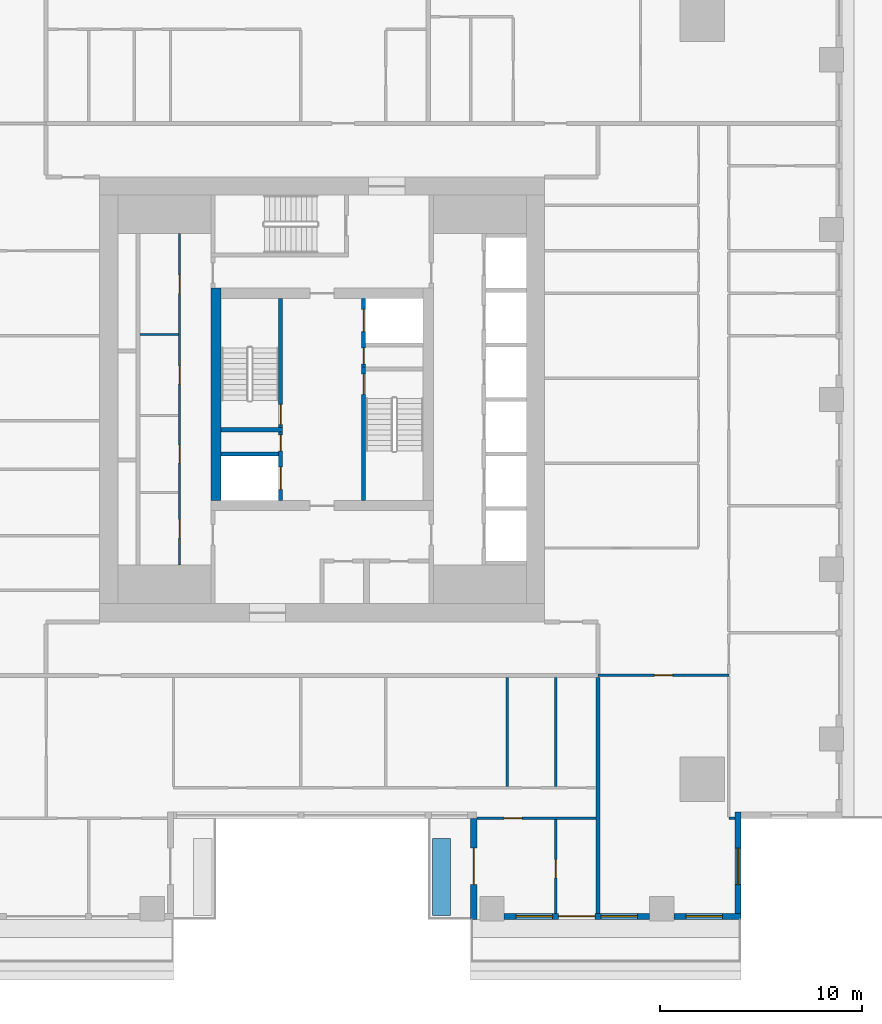
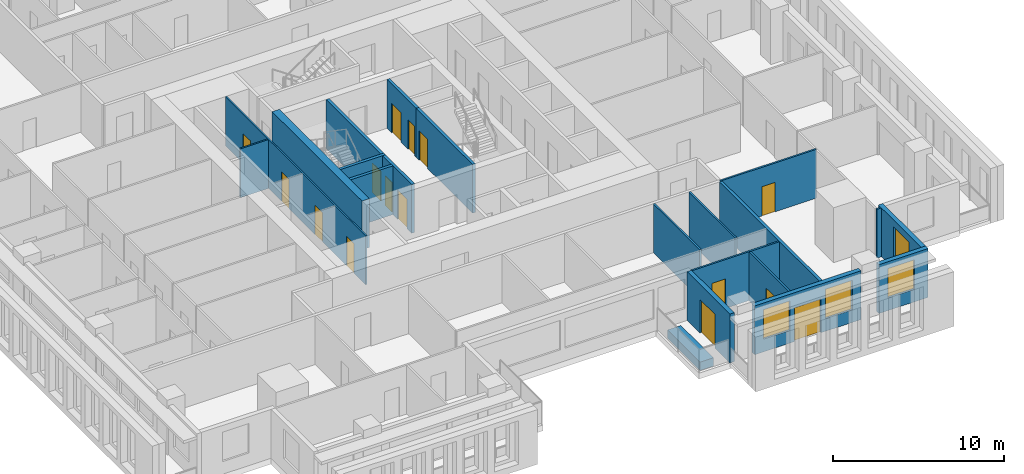
# One storey, part 4 of 15: 21 walls, 15 doors, 4 windows, 19 openings.
"""IFC4 building model written with IfcOpenShell, lengths in metres."""

from ifc_helpers import new_model, si_unit, direction, frame, frame_2d, origin, place, context, subcontext, project, spatial, rectangle, extrude, material, layer, layer_set, type_object, element, fill, save


model = new_model("IFC4")

# Units and contexts
model_context = context("Model", 3, precision=1e-05, world=origin(), true_north=direction((0.0, 1.0)))
body_context = subcontext(model_context, "Body", "Model", "MODEL_VIEW")
ifc_project = project(units=[si_unit("LENGTHUNIT", "METRE"), si_unit("AREAUNIT", "SQUARE_METRE"), si_unit("VOLUMEUNIT", "CUBIC_METRE"), si_unit("PLANEANGLEUNIT", "RADIAN"), si_unit("MASSUNIT", "GRAM", prefix="KILO")], contexts=[model_context])

# Site, building, storey
site_placement = place(None, origin())
site = spatial("IfcSite", under=ifc_project, at=site_placement, CompositionType="ELEMENT")
building_placement = place(site_placement, origin())
building = spatial("IfcBuilding", under=site, at=building_placement, Name="Khepri Terraces", CompositionType="ELEMENT")
storey_placement = place(building_placement, frame((0.0, 0.0, 256.199951171875)))
storey = spatial("IfcBuildingStorey", under=building, at=storey_placement, Name="L61", CompositionType="ELEMENT", Elevation=256.199951171875)

# Wall, opening, door
ifc_material_1 = material(Name="Concrete C40/50", Category="concrete")
ifc_layer_1 = layer(ifc_material_1, 0.199951171875, Name="Concrete C40/50", Category="concrete")
ifc_layer_set_1 = layer_set([ifc_layer_1], Name="Concrete C40/50")
wall_type_1 = type_object("IfcWallType", Name="Core wall 200 C40/50", PredefinedType="SHEAR", material=ifc_layer_set_1)
wall_1_placement = place(storey_placement, frame((2.050048828125, -5.0, 0.0), z_axis=(0.0, 0.0, 1.0), x_axis=(0.0, 1.0, 0.0)))
wall_1 = element("IfcWall", 1, at=wall_1_placement, inside=storey, type_object=wall_type_1, Name="Core wall ST01 L61", PredefinedType="SHEAR", context=body_context, shape_type="SweptSolid", body=[
    extrude(rectangle(XDim=6.60009765625, YDim=0.199951171875, at=frame_2d((3.300048828125, 0.0))), origin(), (0.0, 0.0, 1.0), 3.47998046875),
])
opening_1_placement = place(wall_1_placement, frame((5.25, 0.0, 0.0)))
opening_1 = element("IfcOpeningElement", 2, at=opening_1_placement, cuts=wall_1, Name="Opening L61-C10", PredefinedType="OPENING", context=body_context, shape_type="SweptSolid", body=[
    extrude(rectangle(XDim=1.0, YDim=2.10009765625, at=frame_2d((0.5, 1.050048828125))), frame((0.0, 0.10986328125, 0.0), z_axis=(0.0, -1.0, 0.0), x_axis=(1.0, 0.0, 0.0)), (0.0, 0.0, 1.0), 0.219970703125),
])
ifc_material_2 = material(Name="Painted steel", Category="steel")
door_type_1 = type_object("IfcDoorType", Name="DR-CORE-STAIR-1000", OperationType="NOTDEFINED", PredefinedType="DOOR", material=ifc_material_2)
door_1_placement = place(opening_1_placement, frame((1.0, 0.0, 0.0), z_axis=(0.0, 0.0, 1.0), x_axis=(-1.0, 0.0, 0.0)))
door_1 = element("IfcDoor", 3, at=door_1_placement, inside=storey, type_object=door_type_1, Name="Stair door L61-C10", OperationType="SINGLE_SWING_LEFT", OverallHeight=2.10009765625, OverallWidth=1.0, PredefinedType="DOOR", context=body_context, shape_type="SweptSolid", body=[
    extrude(rectangle(XDim=1.0, YDim=2.10009765625, at=frame_2d((0.5, 1.050048828125))), frame((0.0, 0.02490234375, 0.0), z_axis=(0.0, -1.0, 0.0), x_axis=(1.0, 0.0, 0.0)), (0.0, 0.0, 1.0), 0.050048828125),
])
fill(opening_1, door_1)

# Wall
wall_2_placement = place(storey_placement, frame((-5.0, -1.5, 0.0), z_axis=(0.0, 0.0, 1.0), x_axis=(1.0, 0.0, 0.0)))
element("IfcWall", 4, at=wall_2_placement, inside=storey, type_object=wall_type_1, Name="Core wall ST02 L61", PredefinedType="SHEAR", context=body_context, shape_type="SweptSolid", body=[
    extrude(rectangle(XDim=3.050048828125, YDim=0.199951171875, at=frame_2d((1.52490234375, 0.0))), origin(), (0.0, 0.0, 1.0), 3.47998046875),
])

# Wall, opening, door
wall_3_placement = place(storey_placement, frame((-2.050048828125, -1.39990234375, 0.0), z_axis=(0.0, 0.0, 1.0), x_axis=(0.0, 1.0, 0.0)))
wall_3 = element("IfcWall", 5, at=wall_3_placement, inside=storey, type_object=wall_type_1, Name="Core wall ST03 L61", PredefinedType="SHEAR", context=body_context, shape_type="SweptSolid", body=[
    extrude(rectangle(XDim=6.39990234375, YDim=0.199951171875, at=frame_2d((3.199951171875, 0.0))), origin(), (0.0, 0.0, 1.0), 3.47998046875),
])
opening_2_placement = place(wall_3_placement, frame((0.14990234375, 0.0, 0.0)))
opening_2 = element("IfcOpeningElement", 6, at=opening_2_placement, cuts=wall_3, Name="Opening L61-C09", PredefinedType="OPENING", context=body_context, shape_type="SweptSolid", body=[
    extrude(rectangle(XDim=1.0, YDim=2.10009765625, at=frame_2d((0.5, 1.050048828125))), frame((0.0, 0.10986328125, 0.0), z_axis=(0.0, -1.0, 0.0), x_axis=(1.0, 0.0, 0.0)), (0.0, 0.0, 1.0), 0.219970703125),
])
door_2_placement = place(opening_2_placement, origin())
door_2 = element("IfcDoor", 7, at=door_2_placement, inside=storey, type_object=door_type_1, Name="Stair door L61-C09", OperationType="SINGLE_SWING_LEFT", OverallHeight=2.10009765625, OverallWidth=1.0, PredefinedType="DOOR", context=body_context, shape_type="SweptSolid", body=[
    extrude(rectangle(XDim=1.0, YDim=2.10009765625, at=frame_2d((0.5, 1.050048828125))), frame((0.0, 0.02490234375, 0.0), z_axis=(0.0, -1.0, 0.0), x_axis=(1.0, 0.0, 0.0)), (0.0, 0.0, 1.0), 0.050048828125),
])
fill(opening_2, door_2)

# Wall, openings, doors
wall_4_placement = place(storey_placement, frame((-2.050048828125, -5.0, 0.0), z_axis=(0.0, 0.0, 1.0), x_axis=(0.0, 1.0, 0.0)))
wall_4 = element("IfcWall", 8, at=wall_4_placement, inside=storey, type_object=wall_type_1, Name="Core wall SH05 L61", PredefinedType="SHEAR", context=body_context, shape_type="SweptSolid", body=[
    extrude(rectangle(XDim=3.39990234375, YDim=0.199951171875, at=frame_2d((1.699951171875, 0.0))), origin(), (0.0, 0.0, 1.0), 3.47998046875),
])
opening_3_placement = place(wall_4_placement, frame((0.550048828125, 0.0, 0.0)))
opening_3 = element("IfcOpeningElement", 9, at=opening_3_placement, cuts=wall_4, Name="Opening L61-C08", PredefinedType="OPENING", context=body_context, shape_type="SweptSolid", body=[
    extrude(rectangle(XDim=1.10009765625, YDim=2.10009765625, at=frame_2d((0.550048828125, 1.050048828125))), frame((0.0, 0.10986328125, 0.0), z_axis=(0.0, -1.0, 0.0), x_axis=(1.0, 0.0, 0.0)), (0.0, 0.0, 1.0), 0.219970703125),
])
opening_4_placement = place(wall_4_placement, frame((2.449951171875, 0.0, 0.0)))
opening_4 = element("IfcOpeningElement", 10, at=opening_4_placement, cuts=wall_4, Name="Opening L61-C12", PredefinedType="OPENING", context=body_context, shape_type="SweptSolid", body=[
    extrude(rectangle(XDim=0.800048828125, YDim=2.10009765625, at=frame_2d((0.39990234375, 1.050048828125))), frame((0.0, 0.10986328125, 0.0), z_axis=(0.0, -1.0, 0.0), x_axis=(1.0, 0.0, 0.0)), (0.0, 0.0, 1.0), 0.219970703125),
])
ifc_material_3 = material(Name="Stainless steel 304", Category="steel")
door_type_2 = type_object("IfcDoorType", Name="DR-CORE-FF-LANDING-1100", OperationType="NOTDEFINED", PredefinedType="DOOR", material=ifc_material_3)
door_3_placement = place(opening_3_placement, origin())
door_3 = element("IfcDoor", 11, at=door_3_placement, inside=storey, type_object=door_type_2, Name="Firefighting lift landing door L61-C08", OperationType="SLIDING_TO_LEFT", OverallHeight=2.10009765625, OverallWidth=1.10009765625, PredefinedType="DOOR", context=body_context, shape_type="SweptSolid", body=[
    extrude(rectangle(XDim=1.10009765625, YDim=2.10009765625, at=frame_2d((0.550048828125, 1.050048828125))), frame((0.0, 0.02490234375, 0.0), z_axis=(0.0, -1.0, 0.0), x_axis=(1.0, 0.0, 0.0)), (0.0, 0.0, 1.0), 0.050048828125),
])
fill(opening_3, door_3)
door_type_3 = type_object("IfcDoorType", Name="DR-CORE-RISER-800", OperationType="NOTDEFINED", PredefinedType="DOOR", material=ifc_material_2)
door_4_placement = place(opening_4_placement, origin())
door_4 = element("IfcDoor", 12, at=door_4_placement, inside=storey, type_object=door_type_3, Name="Riser door L61-C12", OperationType="SINGLE_SWING_RIGHT", OverallHeight=2.10009765625, OverallWidth=0.800048828125, PredefinedType="DOOR", context=body_context, shape_type="SweptSolid", body=[
    extrude(rectangle(XDim=0.800048828125, YDim=2.10009765625, at=frame_2d((0.39990234375, 1.050048828125))), frame((0.0, 0.02490234375, 0.0), z_axis=(0.0, -1.0, 0.0), x_axis=(1.0, 0.0, 0.0)), (0.0, 0.0, 1.0), 0.050048828125),
])
fill(opening_4, door_4)

# Wall
wall_5_placement = place(storey_placement, frame((-5.0, -2.699951171875, 0.0), z_axis=(0.0, 0.0, 1.0), x_axis=(1.0, 0.0, 0.0)))
element("IfcWall", 13, at=wall_5_placement, inside=storey, type_object=wall_type_1, Name="Core wall SH07 L61", PredefinedType="SHEAR", context=body_context, shape_type="SweptSolid", body=[
    extrude(rectangle(XDim=2.85009765625, YDim=0.199951171875, at=frame_2d((1.425048828125, 0.0))), origin(), (0.0, 0.0, 1.0), 3.47998046875),
])

# Wall, openings, doors
wall_6_placement = place(storey_placement, frame((2.050048828125, 1.60009765625, 0.0), z_axis=(0.0, 0.0, 1.0), x_axis=(0.0, 1.0, 0.0)))
wall_6 = element("IfcWall", 14, at=wall_6_placement, inside=storey, type_object=wall_type_1, Name="Core wall SH10 L61", PredefinedType="SHEAR", context=body_context, shape_type="SweptSolid", body=[
    extrude(rectangle(XDim=3.39990234375, YDim=0.199951171875, at=frame_2d((1.699951171875, 0.0))), origin(), (0.0, 0.0, 1.0), 3.47998046875),
])
opening_5_placement = place(wall_6_placement, frame((1.75, 0.0, 0.0)))
opening_5 = element("IfcOpeningElement", 15, at=opening_5_placement, cuts=wall_6, Name="Opening L61-C07", PredefinedType="OPENING", context=body_context, shape_type="SweptSolid", body=[
    extrude(rectangle(XDim=1.10009765625, YDim=2.10009765625, at=frame_2d((0.550048828125, 1.050048828125))), frame((0.0, 0.10986328125, 0.0), z_axis=(0.0, -1.0, 0.0), x_axis=(1.0, 0.0, 0.0)), (0.0, 0.0, 1.0), 0.219970703125),
])
opening_6_placement = place(wall_6_placement, frame((0.14990234375, 0.0, 0.0)))
opening_6 = element("IfcOpeningElement", 16, at=opening_6_placement, cuts=wall_6, Name="Opening L61-C11", PredefinedType="OPENING", context=body_context, shape_type="SweptSolid", body=[
    extrude(rectangle(XDim=0.800048828125, YDim=2.10009765625, at=frame_2d((0.39990234375, 1.050048828125))), frame((0.0, 0.10986328125, 0.0), z_axis=(0.0, -1.0, 0.0), x_axis=(1.0, 0.0, 0.0)), (0.0, 0.0, 1.0), 0.219970703125),
])
door_5_placement = place(opening_5_placement, origin())
door_5 = element("IfcDoor", 17, at=door_5_placement, inside=storey, type_object=door_type_2, Name="Firefighting lift landing door L61-C07", OperationType="SLIDING_TO_LEFT", OverallHeight=2.10009765625, OverallWidth=1.10009765625, PredefinedType="DOOR", context=body_context, shape_type="SweptSolid", body=[
    extrude(rectangle(XDim=1.10009765625, YDim=2.10009765625, at=frame_2d((0.550048828125, 1.050048828125))), frame((0.0, 0.02490234375, 0.0), z_axis=(0.0, -1.0, 0.0), x_axis=(1.0, 0.0, 0.0)), (0.0, 0.0, 1.0), 0.050048828125),
])
fill(opening_5, door_5)
door_6_placement = place(opening_6_placement, frame((0.800048828125, 0.0, 0.0), z_axis=(0.0, 0.0, 1.0), x_axis=(-1.0, 0.0, 0.0)))
door_6 = element("IfcDoor", 18, at=door_6_placement, inside=storey, type_object=door_type_3, Name="Riser door L61-C11", OperationType="SINGLE_SWING_RIGHT", OverallHeight=2.10009765625, OverallWidth=0.800048828125, PredefinedType="DOOR", context=body_context, shape_type="SweptSolid", body=[
    extrude(rectangle(XDim=0.800048828125, YDim=2.10009765625, at=frame_2d((0.39990234375, 1.050048828125))), frame((0.0, 0.02490234375, 0.0), z_axis=(0.0, -1.0, 0.0), x_axis=(1.0, 0.0, 0.0)), (0.0, 0.0, 1.0), 0.050048828125),
])
fill(opening_6, door_6)

# Wall
ifc_layer_2 = layer(ifc_material_1, 0.5, Name="Concrete C40/50", Category="concrete")
ifc_layer_set_2 = layer_set([ifc_layer_2], Name="Concrete C40/50")
wall_type_2 = type_object("IfcWallType", Name="Core wall 500 C40/50", PredefinedType="SHEAR", material=ifc_layer_set_2)
wall_7_placement = place(storey_placement, frame((-5.25, -5.0, 0.0), z_axis=(0.0, 0.0, 1.0), x_axis=(0.0, 1.0, 0.0)))
element("IfcWall", 19, at=wall_7_placement, inside=storey, type_object=wall_type_2, Name="Core wall BX02 L61", PredefinedType="SHEAR", context=body_context, shape_type="SweptSolid", body=[
    extrude(rectangle(XDim=10.5, YDim=0.5, at=frame_2d((5.25, 0.0))), origin(), (0.0, 0.0, 1.0), 3.47998046875),
])

# Wall, openings, doors
ifc_material_4 = material(Name="Fire-rated gypsum board partition")
ifc_layer_3 = layer(ifc_material_4, 0.10009765625, Name="Fire-rated gypsum board partition")
ifc_layer_set_3 = layer_set([ifc_layer_3], Name="Fire-rated gypsum board partition")
wall_type_3 = type_object("IfcWallType", Name="WL-CORE-PART-100", PredefinedType="PARTITIONING", material=ifc_layer_set_3)
wall_8_placement = place(storey_placement, frame((-7.050048828125, -8.199951171875, 0.0), z_axis=(0.0, 0.0, 1.0), x_axis=(0.0, 1.0, 0.0)))
wall_8 = element("IfcWall", 20, at=wall_8_placement, inside=storey, type_object=wall_type_3, Name="Core partition PT05 L61", PredefinedType="PARTITIONING", context=body_context, shape_type="SweptSolid", body=[
    extrude(rectangle(XDim=16.39990234375, YDim=0.10009765625, at=frame_2d((8.199951171875, 0.0))), origin(), (0.0, 0.0, 1.0), 3.47998046875),
])
opening_7_placement = place(wall_8_placement, frame((1.35009765625, 0.0, 0.0)))
opening_7 = element("IfcOpeningElement", 21, at=opening_7_placement, cuts=wall_8, Name="Opening L61-C24", PredefinedType="OPENING", context=body_context, shape_type="SweptSolid", body=[
    extrude(rectangle(XDim=0.89990234375, YDim=2.10009765625, at=frame_2d((0.449951171875, 1.050048828125))), frame((0.0, 0.06005859375, 0.0), z_axis=(0.0, -1.0, 0.0), x_axis=(1.0, 0.0, 0.0)), (0.0, 0.0, 1.0), 0.1201171875),
])
opening_8_placement = place(wall_8_placement, frame((5.050048828125, 0.0, 0.0)))
opening_8 = element("IfcOpeningElement", 22, at=opening_8_placement, cuts=wall_8, Name="Opening L61-C25", PredefinedType="OPENING", context=body_context, shape_type="SweptSolid", body=[
    extrude(rectangle(XDim=0.89990234375, YDim=2.10009765625, at=frame_2d((0.449951171875, 1.050048828125))), frame((0.0, 0.06005859375, 0.0), z_axis=(0.0, -1.0, 0.0), x_axis=(1.0, 0.0, 0.0)), (0.0, 0.0, 1.0), 0.1201171875),
])
opening_9_placement = place(wall_8_placement, frame((8.949951171875, 0.0, 0.0)))
opening_9 = element("IfcOpeningElement", 23, at=opening_9_placement, cuts=wall_8, Name="Opening L61-C26", PredefinedType="OPENING", context=body_context, shape_type="SweptSolid", body=[
    extrude(rectangle(XDim=0.89990234375, YDim=2.10009765625, at=frame_2d((0.449951171875, 1.050048828125))), frame((0.0, 0.06005859375, 0.0), z_axis=(0.0, -1.0, 0.0), x_axis=(1.0, 0.0, 0.0)), (0.0, 0.0, 1.0), 0.1201171875),
])
opening_10_placement = place(wall_8_placement, frame((13.449951171875, 0.0, 0.0)))
opening_10 = element("IfcOpeningElement", 24, at=opening_10_placement, cuts=wall_8, Name="Opening L61-C27", PredefinedType="OPENING", context=body_context, shape_type="SweptSolid", body=[
    extrude(rectangle(XDim=0.89990234375, YDim=2.10009765625, at=frame_2d((0.449951171875, 1.050048828125))), frame((0.0, 0.06005859375, 0.0), z_axis=(0.0, -1.0, 0.0), x_axis=(1.0, 0.0, 0.0)), (0.0, 0.0, 1.0), 0.1201171875),
])
door_type_4 = type_object("IfcDoorType", Name="DR-CORE-SERVICE-900", OperationType="NOTDEFINED", PredefinedType="DOOR", material=ifc_material_2)
door_7_placement = place(opening_7_placement, origin())
door_7 = element("IfcDoor", 25, at=door_7_placement, inside=storey, type_object=door_type_4, Name="Service room door L61-C24", OperationType="SINGLE_SWING_LEFT", OverallHeight=2.10009765625, OverallWidth=0.89990234375, PredefinedType="DOOR", context=body_context, shape_type="SweptSolid", body=[
    extrude(rectangle(XDim=0.89990234375, YDim=2.10009765625, at=frame_2d((0.449951171875, 1.050048828125))), frame((0.0, 0.02490234375, 0.0), z_axis=(0.0, -1.0, 0.0), x_axis=(1.0, 0.0, 0.0)), (0.0, 0.0, 1.0), 0.050048828125),
])
fill(opening_7, door_7)
door_8_placement = place(opening_8_placement, origin())
door_8 = element("IfcDoor", 26, at=door_8_placement, inside=storey, type_object=door_type_4, Name="Service room door L61-C25", OperationType="SINGLE_SWING_LEFT", OverallHeight=2.10009765625, OverallWidth=0.89990234375, PredefinedType="DOOR", context=body_context, shape_type="SweptSolid", body=[
    extrude(rectangle(XDim=0.89990234375, YDim=2.10009765625, at=frame_2d((0.449951171875, 1.050048828125))), frame((0.0, 0.02490234375, 0.0), z_axis=(0.0, -1.0, 0.0), x_axis=(1.0, 0.0, 0.0)), (0.0, 0.0, 1.0), 0.050048828125),
])
fill(opening_8, door_8)
door_9_placement = place(opening_9_placement, origin())
door_9 = element("IfcDoor", 27, at=door_9_placement, inside=storey, type_object=door_type_4, Name="Service room door L61-C26", OperationType="SINGLE_SWING_RIGHT", OverallHeight=2.10009765625, OverallWidth=0.89990234375, PredefinedType="DOOR", context=body_context, shape_type="SweptSolid", body=[
    extrude(rectangle(XDim=0.89990234375, YDim=2.10009765625, at=frame_2d((0.449951171875, 1.050048828125))), frame((0.0, 0.02490234375, 0.0), z_axis=(0.0, -1.0, 0.0), x_axis=(1.0, 0.0, 0.0)), (0.0, 0.0, 1.0), 0.050048828125),
])
fill(opening_9, door_9)
door_10_placement = place(opening_10_placement, origin())
door_10 = element("IfcDoor", 28, at=door_10_placement, inside=storey, type_object=door_type_4, Name="Service room door L61-C27", OperationType="SINGLE_SWING_RIGHT", OverallHeight=2.10009765625, OverallWidth=0.89990234375, PredefinedType="DOOR", context=body_context, shape_type="SweptSolid", body=[
    extrude(rectangle(XDim=0.89990234375, YDim=2.10009765625, at=frame_2d((0.449951171875, 1.050048828125))), frame((0.0, 0.02490234375, 0.0), z_axis=(0.0, -1.0, 0.0), x_axis=(1.0, 0.0, 0.0)), (0.0, 0.0, 1.0), 0.050048828125),
])
fill(opening_10, door_10)

# Walls
wall_9_placement = place(storey_placement, frame((-9.0, 3.199951171875, 0.0), z_axis=(0.0, 0.0, 1.0), x_axis=(1.0, 0.0, 0.0)))
element("IfcWall", 29, at=wall_9_placement, inside=storey, type_object=wall_type_3, Name="Core partition PT10 L61", PredefinedType="PARTITIONING", context=body_context, shape_type="SweptSolid", body=[
    extrude(rectangle(XDim=1.89990234375, YDim=0.10009765625, at=frame_2d((0.949951171875, 0.0))), origin(), (0.0, 0.0, 1.0), 3.47998046875),
])
ifc_material_5 = material(Name="Fire-rated gypsum plasterboard partition, mineral wool")
ifc_layer_4 = layer(ifc_material_5, 0.199951171875, Name="Fire-rated gypsum plasterboard partition, mineral wool")
ifc_layer_set_4 = layer_set([ifc_layer_4], Name="Fire-rated gypsum plasterboard partition, mineral wool")
wall_type_4 = type_object("IfcWallType", Name="WL-CORR-200", PredefinedType="PARTITIONING", material=ifc_layer_set_4)
wall_10_placement = place(storey_placement, frame((13.64990234375, -25.419921875, 0.0), z_axis=(0.0, 0.0, 1.0), x_axis=(0.0, 1.0, 0.0)))
element("IfcWall", 30, at=wall_10_placement, inside=storey, type_object=wall_type_4, Name="Partition P-003 L61", PredefinedType="PARTITIONING", context=body_context, shape_type="SweptSolid", body=[
    extrude(rectangle(XDim=11.669921875, YDim=0.199951171875, at=frame_2d((5.8349609375, 0.0))), origin(), (0.0, 0.0, 1.0), 3.47998046875),
])

# Wall, opening, door
ifc_material_6 = material(Name="Precast concrete C50/60 warm stone", Category="masonry")
ifc_layer_5 = layer(ifc_material_6, 0.300048828125, Name="Precast concrete C50/60 warm stone", Category="masonry")
ifc_layer_set_5 = layer_set([ifc_layer_5], Name="Precast concrete C50/60 warm stone")
wall_type_5 = type_object("IfcWallType", Name="WL-EXT-PRECAST-300", PredefinedType="STANDARD", material=ifc_layer_set_5)
wall_11_placement = place(storey_placement, frame((7.5, -20.719970703125, 0.0), z_axis=(0.0, 0.0, 1.0), x_axis=(0.0, -1.0, 0.0)))
wall_11 = element("IfcWall", 31, at=wall_11_placement, inside=storey, type_object=wall_type_5, Name="External wall L61 W", PredefinedType="STANDARD", context=body_context, shape_type="SweptSolid", body=[
    extrude(rectangle(XDim=5.0, YDim=0.300048828125, at=frame_2d((2.5, 0.0))), origin(), (0.0, 0.0, 1.0), 3.47998046875),
])
opening_11_placement = place(wall_11_placement, frame((1.47998046875, 0.0, 0.0)))
opening_11 = element("IfcOpeningElement", 32, at=opening_11_placement, cuts=wall_11, Name="Opening ED-L61-19", PredefinedType="OPENING", context=body_context, shape_type="SweptSolid", body=[
    extrude(rectangle(XDim=1.800048828125, YDim=2.39990234375, at=frame_2d((0.89990234375, 1.199951171875))), frame((0.0, 0.16015625, 0.0), z_axis=(0.0, -1.0, 0.0), x_axis=(1.0, 0.0, 0.0)), (0.0, 0.0, 1.0), 0.320068359375),
])
ifc_material_7 = material(Name="Anodised aluminium bronze glazed door", Category="aluminium")
door_type_5 = type_object("IfcDoorType", Name="DR-BAL-SLIDE-1800x2400", OperationType="NOTDEFINED", PredefinedType="DOOR", material=ifc_material_7)
door_11_placement = place(opening_11_placement, origin())
door_11 = element("IfcDoor", 33, at=door_11_placement, inside=storey, type_object=door_type_5, Name="Balcony door L61 W", OperationType="SLIDING_TO_RIGHT", OverallHeight=2.39990234375, OverallWidth=1.800048828125, PredefinedType="DOOR", context=body_context, shape_type="SweptSolid", body=[
    extrude(rectangle(XDim=1.800048828125, YDim=2.39990234375, at=frame_2d((0.89990234375, 1.199951171875))), frame((0.0, 0.02490234375, 0.0), z_axis=(0.0, -1.0, 0.0), x_axis=(1.0, 0.0, 0.0)), (0.0, 0.0, 1.0), 0.050048828125),
])
fill(opening_11, door_11)

# Wall, openings, door, windows
wall_12_placement = place(storey_placement, frame((9.0, -25.570068359375, 0.0), z_axis=(0.0, 0.0, 1.0), x_axis=(1.0, 0.0, 0.0)))
wall_12 = element("IfcWall", 34, at=wall_12_placement, inside=storey, type_object=wall_type_5, Name="External wall L61 S", PredefinedType="STANDARD", context=body_context, shape_type="SweptSolid", body=[
    extrude(rectangle(XDim=7.199951171875, YDim=0.300048828125, at=frame_2d((3.60009765625, 0.0))), origin(), (0.0, 0.0, 1.0), 3.47998046875),
])
opening_12_placement = place(wall_12_placement, frame((0.60009765625, 0.0, 0.89990234375)))
opening_12 = element("IfcOpeningElement", 35, at=opening_12_placement, cuts=wall_12, Name="Opening W1", PredefinedType="OPENING", context=body_context, shape_type="SweptSolid", body=[
    extrude(rectangle(XDim=1.800048828125, YDim=2.10009765625, at=frame_2d((0.89990234375, 1.050048828125))), frame((0.0, 0.16015625, 0.0), z_axis=(0.0, -1.0, 0.0), x_axis=(1.0, 0.0, 0.0)), (0.0, 0.0, 1.0), 0.320068359375),
])
opening_13_placement = place(wall_12_placement, frame((2.699951171875, 0.0, 0.0)))
opening_13 = element("IfcOpeningElement", 36, at=opening_13_placement, cuts=wall_12, Name="Opening ED-L61-20", PredefinedType="OPENING", context=body_context, shape_type="SweptSolid", body=[
    extrude(rectangle(XDim=1.800048828125, YDim=2.39990234375, at=frame_2d((0.89990234375, 1.199951171875))), frame((0.0, 0.16015625, 0.0), z_axis=(0.0, -1.0, 0.0), x_axis=(1.0, 0.0, 0.0)), (0.0, 0.0, 1.0), 0.320068359375),
])
opening_14_placement = place(wall_12_placement, frame((4.800048828125, 0.0, 0.89990234375)))
opening_14 = element("IfcOpeningElement", 37, at=opening_14_placement, cuts=wall_12, Name="Opening W1", PredefinedType="OPENING", context=body_context, shape_type="SweptSolid", body=[
    extrude(rectangle(XDim=1.800048828125, YDim=2.10009765625, at=frame_2d((0.89990234375, 1.050048828125))), frame((0.0, 0.16015625, 0.0), z_axis=(0.0, -1.0, 0.0), x_axis=(1.0, 0.0, 0.0)), (0.0, 0.0, 1.0), 0.320068359375),
])
door_12_placement = place(opening_13_placement, origin())
door_12 = element("IfcDoor", 38, at=door_12_placement, inside=storey, type_object=door_type_5, Name="Balcony door L61 S", OperationType="SLIDING_TO_RIGHT", OverallHeight=2.39990234375, OverallWidth=1.800048828125, PredefinedType="DOOR", context=body_context, shape_type="SweptSolid", body=[
    extrude(rectangle(XDim=1.800048828125, YDim=2.39990234375, at=frame_2d((0.89990234375, 1.199951171875))), frame((0.0, 0.02490234375, 0.0), z_axis=(0.0, -1.0, 0.0), x_axis=(1.0, 0.0, 0.0)), (0.0, 0.0, 1.0), 0.050048828125),
])
fill(opening_13, door_12)
ifc_material_8 = material(Name="Clear glass", Category="glass")
window_type = type_object("IfcWindowType", Name="WIN-RES-1800x2100", PartitioningType="SINGLE_PANEL", PredefinedType="WINDOW", material=ifc_material_8)
window_1_placement = place(opening_12_placement, origin())
window_1 = element("IfcWindow", 39, at=window_1_placement, inside=storey, type_object=window_type, Name="Window L61 S", OverallHeight=2.10009765625, OverallWidth=1.800048828125, PartitioningType="SINGLE_PANEL", PredefinedType="WINDOW", context=body_context, shape_type="SweptSolid", body=[
    extrude(rectangle(XDim=1.800048828125, YDim=2.10009765625, at=frame_2d((0.89990234375, 1.050048828125))), frame((0.0, 0.030029296875, 0.0), z_axis=(0.0, -1.0, 0.0), x_axis=(1.0, 0.0, 0.0)), (0.0, 0.0, 1.0), 0.06005859375),
])
fill(opening_12, window_1)
window_2_placement = place(opening_14_placement, origin())
window_2 = element("IfcWindow", 40, at=window_2_placement, inside=storey, type_object=window_type, Name="Window L61 S", OverallHeight=2.10009765625, OverallWidth=1.800048828125, PartitioningType="SINGLE_PANEL", PredefinedType="WINDOW", context=body_context, shape_type="SweptSolid", body=[
    extrude(rectangle(XDim=1.800048828125, YDim=2.10009765625, at=frame_2d((0.89990234375, 1.050048828125))), frame((0.0, 0.030029296875, 0.0), z_axis=(0.0, -1.0, 0.0), x_axis=(1.0, 0.0, 0.0)), (0.0, 0.0, 1.0), 0.06005859375),
])
fill(opening_14, window_2)

# Wall, opening, window
wall_13_placement = place(storey_placement, frame((17.39990234375, -25.570068359375, 0.0), z_axis=(0.0, 0.0, 1.0), x_axis=(1.0, 0.0, 0.0)))
wall_13 = element("IfcWall", 41, at=wall_13_placement, inside=storey, type_object=wall_type_5, Name="External wall L61 S", PredefinedType="STANDARD", context=body_context, shape_type="SweptSolid", body=[
    extrude(rectangle(XDim=3.320068359375, YDim=0.300048828125, at=frame_2d((1.66015625, 0.0))), origin(), (0.0, 0.0, 1.0), 3.47998046875),
])
opening_15_placement = place(wall_13_placement, frame((0.60009765625, 0.0, 0.89990234375)))
opening_15 = element("IfcOpeningElement", 42, at=opening_15_placement, cuts=wall_13, Name="Opening W1", PredefinedType="OPENING", context=body_context, shape_type="SweptSolid", body=[
    extrude(rectangle(XDim=1.800048828125, YDim=2.10009765625, at=frame_2d((0.89990234375, 1.050048828125))), frame((0.0, 0.16015625, 0.0), z_axis=(0.0, -1.0, 0.0), x_axis=(1.0, 0.0, 0.0)), (0.0, 0.0, 1.0), 0.320068359375),
])
window_3_placement = place(opening_15_placement, origin())
window_3 = element("IfcWindow", 43, at=window_3_placement, inside=storey, type_object=window_type, Name="Window L61 S", OverallHeight=2.10009765625, OverallWidth=1.800048828125, PartitioningType="SINGLE_PANEL", PredefinedType="WINDOW", context=body_context, shape_type="SweptSolid", body=[
    extrude(rectangle(XDim=1.800048828125, YDim=2.10009765625, at=frame_2d((0.89990234375, 1.050048828125))), frame((0.0, 0.030029296875, 0.0), z_axis=(0.0, -1.0, 0.0), x_axis=(1.0, 0.0, 0.0)), (0.0, 0.0, 1.0), 0.06005859375),
])
fill(opening_15, window_3)

wall_14_placement = place(storey_placement, frame((20.570068359375, -25.419921875, 0.0), z_axis=(0.0, 0.0, 1.0), x_axis=(0.0, 1.0, 0.0)))
wall_14 = element("IfcWall", 44, at=wall_14_placement, inside=storey, type_object=wall_type_5, Name="External wall L61 E", PredefinedType="STANDARD", context=body_context, shape_type="SweptSolid", body=[
    extrude(rectangle(XDim=5.0, YDim=0.300048828125, at=frame_2d((2.5, 0.0))), origin(), (0.0, 0.0, 1.0), 3.47998046875),
])
opening_16_placement = place(wall_14_placement, frame((1.419921875, 0.0, 0.89990234375)))
opening_16 = element("IfcOpeningElement", 45, at=opening_16_placement, cuts=wall_14, Name="Opening W1", PredefinedType="OPENING", context=body_context, shape_type="SweptSolid", body=[
    extrude(rectangle(XDim=1.800048828125, YDim=2.10009765625, at=frame_2d((0.89990234375, 1.050048828125))), frame((0.0, 0.16015625, 0.0), z_axis=(0.0, -1.0, 0.0), x_axis=(1.0, 0.0, 0.0)), (0.0, 0.0, 1.0), 0.320068359375),
])
window_4_placement = place(opening_16_placement, origin())
window_4 = element("IfcWindow", 46, at=window_4_placement, inside=storey, type_object=window_type, Name="Window L61 E", OverallHeight=2.10009765625, OverallWidth=1.800048828125, PartitioningType="SINGLE_PANEL", PredefinedType="WINDOW", context=body_context, shape_type="SweptSolid", body=[
    extrude(rectangle(XDim=1.800048828125, YDim=2.10009765625, at=frame_2d((0.89990234375, 1.050048828125))), frame((0.0, 0.030029296875, 0.0), z_axis=(0.0, -1.0, 0.0), x_axis=(1.0, 0.0, 0.0)), (0.0, 0.0, 1.0), 0.06005859375),
])
fill(opening_16, window_4)

# Wall, opening, door
ifc_material_9 = material(Name="Gypsum plasterboard partition")
ifc_layer_6 = layer(ifc_material_9, 0.1201171875, Name="Gypsum plasterboard partition")
ifc_layer_set_6 = layer_set([ifc_layer_6], Name="Gypsum plasterboard partition")
wall_type_6 = type_object("IfcWallType", Name="WL-PART-120", PredefinedType="PARTITIONING", material=ifc_layer_set_6)
wall_15_placement = place(storey_placement, frame((11.550048828125, -25.419921875, 0.0), z_axis=(0.0, 0.0, 1.0), x_axis=(0.0, 1.0, 0.0)))
wall_15 = element("IfcWall", 47, at=wall_15_placement, inside=storey, type_object=wall_type_6, Name="Partition P-002 L61", PredefinedType="PARTITIONING", context=body_context, shape_type="SweptSolid", body=[
    extrude(rectangle(XDim=4.639892578125, YDim=0.1201171875, at=frame_2d((2.31982421875, 0.0))), origin(), (0.0, 0.0, 1.0), 3.47998046875),
])
opening_17_placement = place(wall_15_placement, frame((1.75, 0.0, 0.0)))
opening_17 = element("IfcOpeningElement", 48, at=opening_17_placement, cuts=wall_15, Name="Opening D4", PredefinedType="OPENING", context=body_context, shape_type="SweptSolid", body=[
    extrude(rectangle(XDim=0.89990234375, YDim=2.10009765625, at=frame_2d((0.449951171875, 1.050048828125))), frame((0.0, 0.070068359375, 0.0), z_axis=(0.0, -1.0, 0.0), x_axis=(1.0, 0.0, 0.0)), (0.0, 0.0, 1.0), 0.14013671875),
])
ifc_material_10 = material(Name="Timber door leaf, moisture resistant", Category="wood")
door_type_6 = type_object("IfcDoorType", Name="DR-WET-900", OperationType="NOTDEFINED", PredefinedType="DOOR", material=ifc_material_10)
door_13_placement = place(opening_17_placement, frame((0.89990234375, 0.0, 0.0), z_axis=(0.0, 0.0, 1.0), x_axis=(-1.0, 0.0, 0.0)))
door_13 = element("IfcDoor", 49, at=door_13_placement, inside=storey, type_object=door_type_6, Name="Door Bathroom", OperationType="SINGLE_SWING_RIGHT", OverallHeight=2.10009765625, OverallWidth=0.89990234375, PredefinedType="DOOR", context=body_context, shape_type="SweptSolid", body=[
    extrude(rectangle(XDim=0.89990234375, YDim=2.10009765625, at=frame_2d((0.449951171875, 1.050048828125))), frame((0.0, 0.02490234375, 0.0), z_axis=(0.0, -1.0, 0.0), x_axis=(1.0, 0.0, 0.0)), (0.0, 0.0, 1.0), 0.050048828125),
])
fill(opening_17, door_13)

wall_16_placement = place(storey_placement, frame((7.64990234375, -20.719970703125, 0.0), z_axis=(0.0, 0.0, 1.0), x_axis=(1.0, 0.0, 0.0)))
wall_16 = element("IfcWall", 50, at=wall_16_placement, inside=storey, type_object=wall_type_6, Name="Partition P-005 L61", PredefinedType="PARTITIONING", context=body_context, shape_type="SweptSolid", body=[
    extrude(rectangle(XDim=5.900146484375, YDim=0.1201171875, at=frame_2d((2.9501953125, 0.0))), origin(), (0.0, 0.0, 1.0), 3.47998046875),
])
opening_18_placement = place(wall_16_placement, frame((1.35009765625, 0.0, 0.0)))
opening_18 = element("IfcOpeningElement", 51, at=opening_18_placement, cuts=wall_16, Name="Opening D3", PredefinedType="OPENING", context=body_context, shape_type="SweptSolid", body=[
    extrude(rectangle(XDim=0.89990234375, YDim=2.10009765625, at=frame_2d((0.449951171875, 1.050048828125))), frame((0.0, 0.070068359375, 0.0), z_axis=(0.0, -1.0, 0.0), x_axis=(1.0, 0.0, 0.0)), (0.0, 0.0, 1.0), 0.14013671875),
])
ifc_material_11 = material(Name="Timber door leaf", Category="wood")
door_type_7 = type_object("IfcDoorType", Name="DR-INT-900", OperationType="NOTDEFINED", PredefinedType="DOOR", material=ifc_material_11)
door_14_placement = place(opening_18_placement, frame((0.89990234375, 0.0, 0.0), z_axis=(0.0, 0.0, 1.0), x_axis=(-1.0, 0.0, 0.0)))
door_14 = element("IfcDoor", 52, at=door_14_placement, inside=storey, type_object=door_type_7, Name="Door Bedroom", OperationType="SINGLE_SWING_RIGHT", OverallHeight=2.10009765625, OverallWidth=0.89990234375, PredefinedType="DOOR", context=body_context, shape_type="SweptSolid", body=[
    extrude(rectangle(XDim=0.89990234375, YDim=2.10009765625, at=frame_2d((0.449951171875, 1.050048828125))), frame((0.0, 0.02490234375, 0.0), z_axis=(0.0, -1.0, 0.0), x_axis=(1.0, 0.0, 0.0)), (0.0, 0.0, 1.0), 0.050048828125),
])
fill(opening_18, door_14)

# Walls
wall_17_placement = place(storey_placement, frame((20.1201171875, -20.718994140625, 0.0), z_axis=(0.0, 0.0, 1.0), x_axis=(1.0, 0.0, 0.0)))
element("IfcWall", 53, at=wall_17_placement, inside=storey, type_object=wall_type_6, Name="Partition P-006 L61", PredefinedType="PARTITIONING", context=body_context, shape_type="SweptSolid", body=[
    extrude(rectangle(XDim=0.30078125, YDim=0.1201171875, at=frame_2d((0.150390625, 0.0))), origin(), (0.0, 0.0, 1.0), 3.47998046875),
])
for number, where, z_axis, x_axis, name in (
    (54, (9.14990234375, -19.159912109375, 0.0), (0.0, 0.0, 1.0), (0.0, 1.0, 0.0), "Partition P-013 L61"),
    (55, (11.550048828125, -19.159912109375, 0.0), (0.0, 0.0, 1.0), (0.0, 1.0, 0.0), "Partition P-014 L61"),
):
    element("IfcWall", number, at=place(storey_placement, frame(where, z_axis=z_axis, x_axis=x_axis)), inside=storey, type_object=wall_type_6, Name=name, PredefinedType="PARTITIONING", context=body_context, shape_type="SweptSolid", body=[
        extrude(rectangle(XDim=5.409912109375, YDim=0.1201171875, at=frame_2d((2.705078125, 0.0))), origin(), (0.0, 0.0, 1.0), 3.47998046875),
    ])

# Wall, opening, door
wall_18_placement = place(storey_placement, frame((13.64990234375, -13.64990234375, 0.0), z_axis=(0.0, 0.0, 1.0), x_axis=(1.0, 0.0, 0.0)))
wall_18 = element("IfcWall", 56, at=wall_18_placement, inside=storey, type_object=wall_type_6, Name="Partition P-016 L61", PredefinedType="PARTITIONING", context=body_context, shape_type="SweptSolid", body=[
    extrude(rectangle(XDim=6.47021484375, YDim=0.1201171875, at=frame_2d((3.235107421875, 0.0))), origin(), (0.0, 0.0, 1.0), 3.47998046875),
])
opening_19_placement = place(wall_18_placement, frame((2.784912109375, 0.0, 0.0)))
opening_19 = element("IfcOpeningElement", 57, at=opening_19_placement, cuts=wall_18, Name="Opening D3", PredefinedType="OPENING", context=body_context, shape_type="SweptSolid", body=[
    extrude(rectangle(XDim=0.89990234375, YDim=2.10009765625, at=frame_2d((0.449951171875, 1.050048828125))), frame((0.0, 0.070068359375, 0.0), z_axis=(0.0, -1.0, 0.0), x_axis=(1.0, 0.0, 0.0)), (0.0, 0.0, 1.0), 0.14013671875),
])
door_15_placement = place(opening_19_placement, frame((0.89990234375, 0.0, 0.0), z_axis=(0.0, 0.0, 1.0), x_axis=(-1.0, 0.0, 0.0)))
door_15 = element("IfcDoor", 58, at=door_15_placement, inside=storey, type_object=door_type_7, Name="Door Home Gym", OperationType="SINGLE_SWING_LEFT", OverallHeight=2.10009765625, OverallWidth=0.89990234375, PredefinedType="DOOR", context=body_context, shape_type="SweptSolid", body=[
    extrude(rectangle(XDim=0.89990234375, YDim=2.10009765625, at=frame_2d((0.449951171875, 1.050048828125))), frame((0.0, 0.02490234375, 0.0), z_axis=(0.0, -1.0, 0.0), x_axis=(1.0, 0.0, 0.0)), (0.0, 0.0, 1.0), 0.050048828125),
])
fill(opening_19, door_15)

# Wall
ifc_layer_7 = layer(ifc_material_6, 0.89990234375, Name="Precast concrete C50/60 warm stone", Category="masonry")
ifc_layer_set_7 = layer_set([ifc_layer_7], Name="Precast concrete C50/60 warm stone")
wall_type_7 = type_object("IfcWallType", Name="WL-PLANTER-900", PredefinedType="MOVABLE", material=ifc_layer_set_7)
wall_19_placement = place(storey_placement, frame((5.89990234375, -25.52001953125, 0.0), z_axis=(0.0, 0.0, 1.0), x_axis=(0.0, 1.0, 0.0)))
element("IfcWall", 59, at=wall_19_placement, inside=storey, type_object=wall_type_7, Name="Planter L61", PredefinedType="MOVABLE", context=body_context, shape_type="SweptSolid", body=[
    extrude(rectangle(XDim=3.800048828125, YDim=0.89990234375, at=frame_2d((1.89990234375, 0.0))), origin(), (0.0, 0.0, 1.0), 0.60009765625),
])

save(model, "model.ifc")
